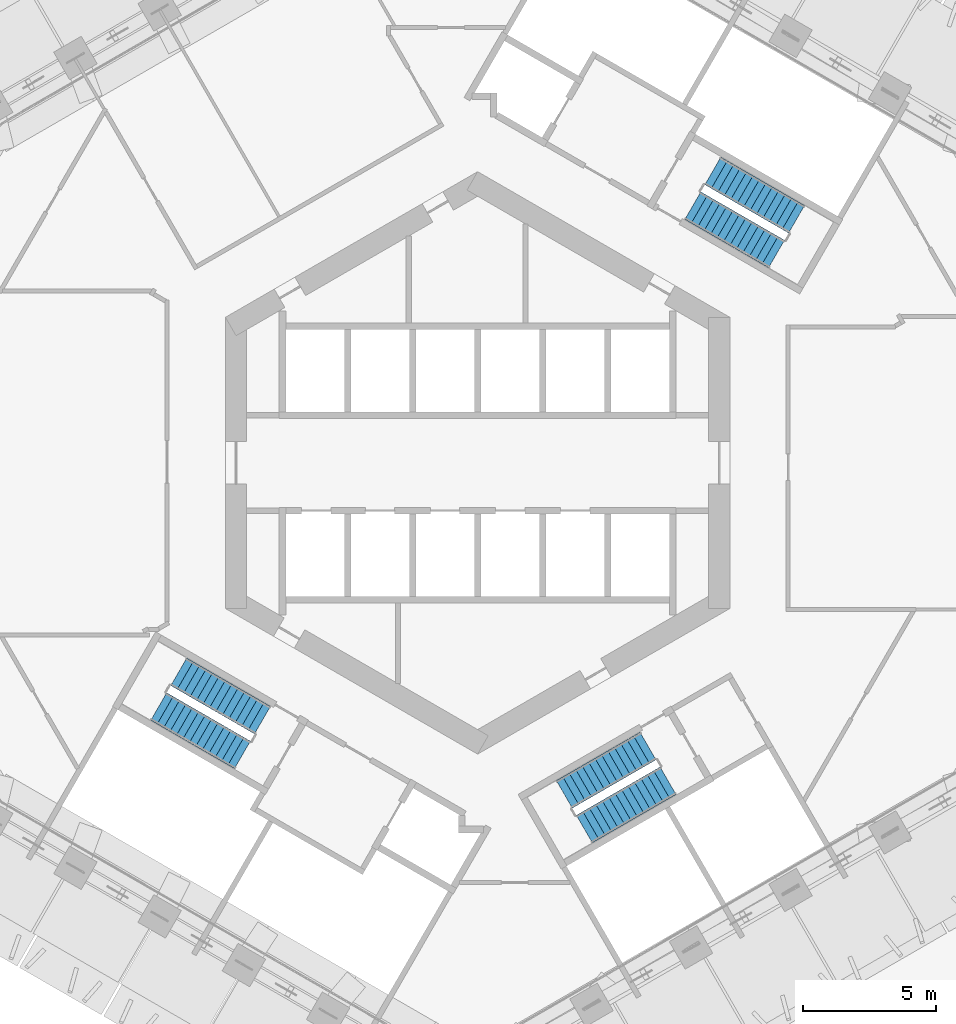
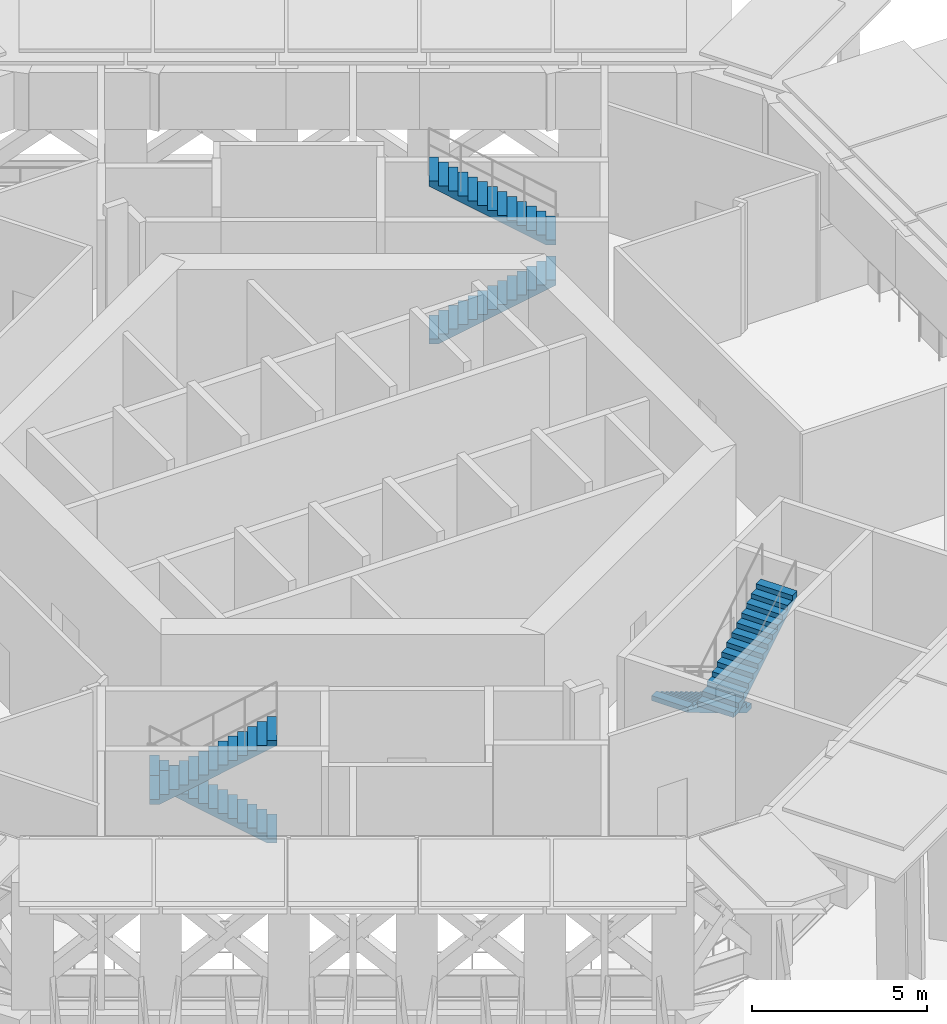
# One storey, part 11 of 16: 6 stair flights, 3 elements without a shape of their own.
"""IFC4 building model written with IfcOpenShell, lengths in metres."""

from ifc_helpers import new_model, si_unit, direction, frame, origin, place, context, subcontext, project, spatial, triangles, material, type_object, element, aggregate, save


model = new_model("IFC4")

# Units and contexts
model_context = context("Model", 3, precision=1e-05, world=origin(), true_north=direction((0.0, 1.0)))
body_context = subcontext(model_context, "Body", "Model", "MODEL_VIEW")
ifc_project = project(units=[si_unit("LENGTHUNIT", "METRE"), si_unit("AREAUNIT", "SQUARE_METRE"), si_unit("VOLUMEUNIT", "CUBIC_METRE"), si_unit("PLANEANGLEUNIT", "RADIAN"), si_unit("MASSUNIT", "GRAM", prefix="KILO")], contexts=[model_context])

# Site, building, storey
site_placement = place(None, origin())
site = spatial("IfcSite", under=ifc_project, at=site_placement, CompositionType="ELEMENT")
building_placement = place(site_placement, origin())
building = spatial("IfcBuilding", under=site, at=building_placement, Name="Ayvan Gate Tower", CompositionType="ELEMENT")
storey_placement = place(building_placement, frame((0.0, 0.0, 78.300048828125)))
storey = spatial("IfcBuildingStorey", under=building, at=storey_placement, Name="L20", CompositionType="ELEMENT", Elevation=78.300048828125)

# Stair, stair flights
ifc_material = material(Name="Concrete C40/50", Category="concrete")
stair_type = type_object("IfcStairType", Name="ST-EXIT", PredefinedType="HALF_TURN_STAIR", material=ifc_material)
stair_1_placement = place(storey_placement, origin())
stair_1 = element("IfcStair", 1, at=stair_1_placement, inside=storey, type_object=stair_type, Name="L20 Exit Stair S1", PredefinedType="HALF_TURN_STAIR")
stair_flight_type = type_object("IfcStairFlightType", Name="SFL-EXIT", PredefinedType="STRAIGHT", material=ifc_material)
stair_flight_1_placement = place(storey_placement, frame((8.106201171875, 9.690185546875, 0.0), z_axis=(0.0, 0.0, 1.0), x_axis=(0.866025403784, -0.5, 0.0)))
stair_flight_1 = element("IfcStairFlight", 2, at=stair_flight_1_placement, type_object=stair_flight_type, Name="STS1 flight 1", NumberOfRisers=14, NumberOfTreads=13, PredefinedType="STRAIGHT", RiserHeight=0.171428571, TreadLength=0.28, context=body_context, shape_type="Tessellation", body=[
    triangles([(0.287085, -0.599976, 0.0), (3.6405, -0.599976, 2.053111), (3.6405, -0.599976, 2.228571), (3.36, -0.599976, 2.228571), (3.36, -0.599976, 2.057143), (3.08, -0.599976, 2.057143), (3.08, -0.599976, 1.885714), (2.8, -0.599976, 1.885714), (2.8, -0.599976, 1.714286), (2.52, -0.599976, 1.714286), (2.52, -0.599976, 1.542857), (2.24, -0.599976, 1.542857), (2.24, -0.599976, 1.371429), (1.96, -0.599976, 1.371429), (1.96, -0.599976, 1.2), (1.68, -0.599976, 1.2), (1.68, -0.599976, 1.028571), (1.4, -0.599976, 1.028571), (1.4, -0.599976, 0.857143), (1.12, -0.599976, 0.857143), (1.12, -0.599976, 0.685714), (0.84, -0.599976, 0.685714), (0.84, -0.599976, 0.514286), (0.56, -0.599976, 0.514286), (0.56, -0.599976, 0.342857), (0.28, -0.599976, 0.342857), (0.28, -0.599976, 0.171429), (-0.0005, -0.599976, 0.171429), (-0.0005, -0.599976, 0.0), (0.287085, 0.0, 0.0), (3.6405, 0.0, 2.053111), (3.6405, 0.0, 2.228571), (3.36, 0.0, 2.228571), (3.36, 0.0, 2.057143), (3.08, 0.0, 2.057143), (3.08, 0.0, 1.885714), (2.8, 0.0, 1.885714), (2.8, 0.0, 1.714286), (2.52, 0.0, 1.714286), (2.52, 0.0, 1.542857), (2.24, 0.0, 1.542857), (2.24, 0.0, 1.371429), (1.96, 0.0, 1.371429), (1.96, 0.0, 1.2), (1.68, 0.0, 1.2), (1.68, 0.0, 1.028571), (1.4, 0.0, 1.028571), (1.4, 0.0, 0.857143), (1.12, 0.0, 0.857143), (1.12, 0.0, 0.685714), (0.84, 0.0, 0.685714), (0.84, 0.0, 0.514286), (0.56, 0.0, 0.514286), (0.56, 0.0, 0.342857), (0.28, 0.0, 0.342857), (0.28, 0.0, 0.171429), (-0.0005, 0.0, 0.171429), (-0.0005, 0.0, 0.0), (0.287085, 0.599976, 0.0), (3.6405, 0.599976, 2.053111), (3.6405, 0.599976, 2.228571), (3.36, 0.599976, 2.228571), (3.36, 0.599976, 2.057143), (3.08, 0.599976, 2.057143), (3.08, 0.599976, 1.885714), (2.8, 0.599976, 1.885714), (2.8, 0.599976, 1.714286), (2.52, 0.599976, 1.714286), (2.52, 0.599976, 1.542857), (2.24, 0.599976, 1.542857), (2.24, 0.599976, 1.371429), (1.96, 0.599976, 1.371429), (1.96, 0.599976, 1.2), (1.68, 0.599976, 1.2), (1.68, 0.599976, 1.028571), (1.4, 0.599976, 1.028571), (1.4, 0.599976, 0.857143), (1.12, 0.599976, 0.857143), (1.12, 0.599976, 0.685714), (0.84, 0.599976, 0.685714), (0.84, 0.599976, 0.514286), (0.56, 0.599976, 0.514286), (0.56, 0.599976, 0.342857), (0.28, 0.599976, 0.342857), (0.28, 0.599976, 0.171429), (-0.0005, 0.599976, 0.171429), (-0.0005, 0.599976, 0.0)], [[29, 1, 2], [87, 60, 59], [2, 3, 4], [60, 62, 61], [2, 4, 5], [60, 63, 62], [2, 5, 6], [60, 64, 63], [2, 6, 7], [60, 65, 64], [7, 8, 9], [65, 67, 66], [2, 7, 9], [60, 67, 65], [9, 10, 11], [67, 69, 68], [2, 9, 11], [60, 69, 67], [11, 12, 13], [69, 71, 70], [2, 11, 13], [60, 71, 69], [13, 14, 15], [71, 73, 72], [2, 13, 15], [60, 73, 71], [15, 16, 17], [73, 75, 74], [2, 15, 17], [60, 75, 73], [17, 18, 19], [75, 77, 76], [2, 17, 19], [60, 77, 75], [19, 20, 21], [77, 79, 78], [2, 19, 21], [60, 79, 77], [21, 22, 23], [79, 81, 80], [2, 21, 23], [60, 81, 79], [23, 24, 25], [81, 83, 82], [2, 23, 25], [60, 83, 81], [25, 26, 27], [83, 85, 84], [2, 25, 27], [60, 85, 83], [29, 2, 27], [87, 85, 60], [27, 28, 29], [85, 87, 86], [1, 30, 31], [1, 31, 2], [59, 31, 30], [59, 60, 31], [2, 31, 32], [2, 32, 3], [60, 32, 31], [60, 61, 32], [3, 32, 33], [3, 33, 4], [61, 33, 32], [61, 62, 33], [4, 33, 34], [4, 34, 5], [62, 34, 33], [62, 63, 34], [5, 34, 35], [5, 35, 6], [63, 35, 34], [63, 64, 35], [6, 35, 36], [6, 36, 7], [64, 36, 35], [64, 65, 36], [7, 36, 37], [7, 37, 8], [65, 37, 36], [65, 66, 37], [8, 37, 38], [8, 38, 9], [66, 38, 37], [66, 67, 38], [9, 38, 39], [9, 39, 10], [67, 39, 38], [67, 68, 39], [10, 39, 40], [10, 40, 11], [68, 40, 39], [68, 69, 40], [11, 40, 41], [11, 41, 12], [69, 41, 40], [69, 70, 41], [12, 41, 42], [12, 42, 13], [70, 42, 41], [70, 71, 42], [13, 42, 43], [13, 43, 14], [71, 43, 42], [71, 72, 43], [14, 43, 44], [14, 44, 15], [72, 44, 43], [72, 73, 44], [15, 44, 45], [15, 45, 16], [73, 45, 44], [73, 74, 45], [16, 45, 46], [16, 46, 17], [74, 46, 45], [74, 75, 46], [17, 46, 47], [17, 47, 18], [75, 47, 46], [75, 76, 47], [18, 47, 48], [18, 48, 19], [76, 48, 47], [76, 77, 48], [19, 48, 49], [19, 49, 20], [77, 49, 48], [77, 78, 49], [20, 49, 50], [20, 50, 21], [78, 50, 49], [78, 79, 50], [21, 50, 51], [21, 51, 22], [79, 51, 50], [79, 80, 51], [22, 51, 52], [22, 52, 23], [80, 52, 51], [80, 81, 52], [23, 52, 53], [23, 53, 24], [81, 53, 52], [81, 82, 53], [24, 53, 54], [24, 54, 25], [82, 54, 53], [82, 83, 54], [25, 54, 55], [25, 55, 26], [83, 55, 54], [83, 84, 55], [26, 55, 56], [26, 56, 27], [84, 56, 55], [84, 85, 56], [27, 56, 57], [27, 57, 28], [85, 57, 56], [85, 86, 57], [28, 57, 58], [28, 58, 29], [86, 58, 57], [86, 87, 58], [29, 58, 30], [29, 30, 1], [87, 30, 58], [87, 59, 30]], closed=True),
])
stair_flight_2_placement = place(storey_placement, frame((12.013427734375, 9.177978515625, 2.39990234375), z_axis=(0.0, 0.0, 1.0), x_axis=(-0.866025403784, 0.5, 0.0)))
stair_flight_2 = element("IfcStairFlight", 3, at=stair_flight_2_placement, type_object=stair_flight_type, Name="STS1 flight 2", NumberOfRisers=14, NumberOfTreads=13, PredefinedType="STRAIGHT", RiserHeight=0.171428571, TreadLength=0.28, context=body_context, shape_type="Tessellation", body=[
    triangles([(0.287085, -0.599976, 0.0), (3.6405, -0.599976, 2.053111), (3.6405, -0.599976, 2.228571), (3.36, -0.599976, 2.228571), (3.36, -0.599976, 2.057143), (3.08, -0.599976, 2.057143), (3.08, -0.599976, 1.885714), (2.8, -0.599976, 1.885714), (2.8, -0.599976, 1.714286), (2.52, -0.599976, 1.714286), (2.52, -0.599976, 1.542857), (2.24, -0.599976, 1.542857), (2.24, -0.599976, 1.371429), (1.96, -0.599976, 1.371429), (1.96, -0.599976, 1.2), (1.68, -0.599976, 1.2), (1.68, -0.599976, 1.028571), (1.4, -0.599976, 1.028571), (1.4, -0.599976, 0.857143), (1.12, -0.599976, 0.857143), (1.12, -0.599976, 0.685714), (0.84, -0.599976, 0.685714), (0.84, -0.599976, 0.514286), (0.56, -0.599976, 0.514286), (0.56, -0.599976, 0.342857), (0.28, -0.599976, 0.342857), (0.28, -0.599976, 0.171429), (-0.0005, -0.599976, 0.171429), (-0.0005, -0.599976, 0.0), (0.287085, 0.0, 0.0), (3.6405, 0.0, 2.053111), (3.6405, 0.0, 2.228571), (3.36, 0.0, 2.228571), (3.36, 0.0, 2.057143), (3.08, 0.0, 2.057143), (3.08, 0.0, 1.885714), (2.8, 0.0, 1.885714), (2.8, 0.0, 1.714286), (2.52, 0.0, 1.714286), (2.52, 0.0, 1.542857), (2.24, 0.0, 1.542857), (2.24, 0.0, 1.371429), (1.96, 0.0, 1.371429), (1.96, 0.0, 1.2), (1.68, 0.0, 1.2), (1.68, 0.0, 1.028571), (1.4, 0.0, 1.028571), (1.4, 0.0, 0.857143), (1.12, 0.0, 0.857143), (1.12, 0.0, 0.685714), (0.84, 0.0, 0.685714), (0.84, 0.0, 0.514286), (0.56, 0.0, 0.514286), (0.56, 0.0, 0.342857), (0.28, 0.0, 0.342857), (0.28, 0.0, 0.171429), (-0.0005, 0.0, 0.171429), (-0.0005, 0.0, 0.0), (0.287085, 0.599976, 0.0), (3.6405, 0.599976, 2.053111), (3.6405, 0.599976, 2.228571), (3.36, 0.599976, 2.228571), (3.36, 0.599976, 2.057143), (3.08, 0.599976, 2.057143), (3.08, 0.599976, 1.885714), (2.8, 0.599976, 1.885714), (2.8, 0.599976, 1.714286), (2.52, 0.599976, 1.714286), (2.52, 0.599976, 1.542857), (2.24, 0.599976, 1.542857), (2.24, 0.599976, 1.371429), (1.96, 0.599976, 1.371429), (1.96, 0.599976, 1.2), (1.68, 0.599976, 1.2), (1.68, 0.599976, 1.028571), (1.4, 0.599976, 1.028571), (1.4, 0.599976, 0.857143), (1.12, 0.599976, 0.857143), (1.12, 0.599976, 0.685714), (0.84, 0.599976, 0.685714), (0.84, 0.599976, 0.514286), (0.56, 0.599976, 0.514286), (0.56, 0.599976, 0.342857), (0.28, 0.599976, 0.342857), (0.28, 0.599976, 0.171429), (-0.0005, 0.599976, 0.171429), (-0.0005, 0.599976, 0.0)], [[29, 1, 2], [87, 60, 59], [2, 3, 4], [60, 62, 61], [2, 4, 5], [60, 63, 62], [2, 5, 6], [60, 64, 63], [2, 6, 7], [60, 65, 64], [7, 8, 9], [65, 67, 66], [2, 7, 9], [60, 67, 65], [9, 10, 11], [67, 69, 68], [2, 9, 11], [60, 69, 67], [11, 12, 13], [69, 71, 70], [2, 11, 13], [60, 71, 69], [13, 14, 15], [71, 73, 72], [2, 13, 15], [60, 73, 71], [15, 16, 17], [73, 75, 74], [2, 15, 17], [60, 75, 73], [17, 18, 19], [75, 77, 76], [2, 17, 19], [60, 77, 75], [19, 20, 21], [77, 79, 78], [2, 19, 21], [60, 79, 77], [21, 22, 23], [79, 81, 80], [2, 21, 23], [60, 81, 79], [23, 24, 25], [81, 83, 82], [2, 23, 25], [60, 83, 81], [25, 26, 27], [83, 85, 84], [2, 25, 27], [60, 85, 83], [29, 2, 27], [87, 85, 60], [27, 28, 29], [85, 87, 86], [1, 30, 31], [1, 31, 2], [59, 31, 30], [59, 60, 31], [2, 31, 32], [2, 32, 3], [60, 32, 31], [60, 61, 32], [3, 32, 33], [3, 33, 4], [61, 33, 32], [61, 62, 33], [4, 33, 34], [4, 34, 5], [62, 34, 33], [62, 63, 34], [5, 34, 35], [5, 35, 6], [63, 35, 34], [63, 64, 35], [6, 35, 36], [6, 36, 7], [64, 36, 35], [64, 65, 36], [7, 36, 37], [7, 37, 8], [65, 37, 36], [65, 66, 37], [8, 37, 38], [8, 38, 9], [66, 38, 37], [66, 67, 38], [9, 38, 39], [9, 39, 10], [67, 39, 38], [67, 68, 39], [10, 39, 40], [10, 40, 11], [68, 40, 39], [68, 69, 40], [11, 40, 41], [11, 41, 12], [69, 41, 40], [69, 70, 41], [12, 41, 42], [12, 42, 13], [70, 42, 41], [70, 71, 42], [13, 42, 43], [13, 43, 14], [71, 43, 42], [71, 72, 43], [14, 43, 44], [14, 44, 15], [72, 44, 43], [72, 73, 44], [15, 44, 45], [15, 45, 16], [73, 45, 44], [73, 74, 45], [16, 45, 46], [16, 46, 17], [74, 46, 45], [74, 75, 46], [17, 46, 47], [17, 47, 18], [75, 47, 46], [75, 76, 47], [18, 47, 48], [18, 48, 19], [76, 48, 47], [76, 77, 48], [19, 48, 49], [19, 49, 20], [77, 49, 48], [77, 78, 49], [20, 49, 50], [20, 50, 21], [78, 50, 49], [78, 79, 50], [21, 50, 51], [21, 51, 22], [79, 51, 50], [79, 80, 51], [22, 51, 52], [22, 52, 23], [80, 52, 51], [80, 81, 52], [23, 52, 53], [23, 53, 24], [81, 53, 52], [81, 82, 53], [24, 53, 54], [24, 54, 25], [82, 54, 53], [82, 83, 54], [25, 54, 55], [25, 55, 26], [83, 55, 54], [83, 84, 55], [26, 55, 56], [26, 56, 27], [84, 56, 55], [84, 85, 56], [27, 56, 57], [27, 57, 28], [85, 57, 56], [85, 86, 57], [28, 57, 58], [28, 58, 29], [86, 58, 57], [86, 87, 58], [29, 58, 30], [29, 30, 1], [87, 30, 58], [87, 59, 30]], closed=True),
])
aggregate(stair_1, [stair_flight_1, stair_flight_2])

stair_2_placement = place(storey_placement, origin())
stair_2 = element("IfcStair", 4, at=stair_2_placement, inside=storey, type_object=stair_type, Name="L20 Exit Stair S2", PredefinedType="HALF_TURN_STAIR")
stair_flight_3_placement = place(storey_placement, frame((-8.106201171875, -9.690185546875, 0.0), z_axis=(0.0, 0.0, 1.0), x_axis=(-0.866025403784, 0.5, 0.0)))
stair_flight_3 = element("IfcStairFlight", 5, at=stair_flight_3_placement, type_object=stair_flight_type, Name="STS2 flight 1", NumberOfRisers=14, NumberOfTreads=13, PredefinedType="STRAIGHT", RiserHeight=0.171428571, TreadLength=0.28, context=body_context, shape_type="Tessellation", body=[
    triangles([(0.287085, -0.599976, 0.0), (3.6405, -0.599976, 2.053111), (3.6405, -0.599976, 2.228571), (3.36, -0.599976, 2.228571), (3.36, -0.599976, 2.057143), (3.08, -0.599976, 2.057143), (3.08, -0.599976, 1.885714), (2.8, -0.599976, 1.885714), (2.8, -0.599976, 1.714286), (2.52, -0.599976, 1.714286), (2.52, -0.599976, 1.542857), (2.24, -0.599976, 1.542857), (2.24, -0.599976, 1.371429), (1.96, -0.599976, 1.371429), (1.96, -0.599976, 1.2), (1.68, -0.599976, 1.2), (1.68, -0.599976, 1.028571), (1.4, -0.599976, 1.028571), (1.4, -0.599976, 0.857143), (1.12, -0.599976, 0.857143), (1.12, -0.599976, 0.685714), (0.84, -0.599976, 0.685714), (0.84, -0.599976, 0.514286), (0.56, -0.599976, 0.514286), (0.56, -0.599976, 0.342857), (0.28, -0.599976, 0.342857), (0.28, -0.599976, 0.171429), (-0.0005, -0.599976, 0.171429), (-0.0005, -0.599976, 0.0), (0.287085, 0.0, 0.0), (3.6405, 0.0, 2.053111), (3.6405, 0.0, 2.228571), (3.36, 0.0, 2.228571), (3.36, 0.0, 2.057143), (3.08, 0.0, 2.057143), (3.08, 0.0, 1.885714), (2.8, 0.0, 1.885714), (2.8, 0.0, 1.714286), (2.52, 0.0, 1.714286), (2.52, 0.0, 1.542857), (2.24, 0.0, 1.542857), (2.24, 0.0, 1.371429), (1.96, 0.0, 1.371429), (1.96, 0.0, 1.2), (1.68, 0.0, 1.2), (1.68, 0.0, 1.028571), (1.4, 0.0, 1.028571), (1.4, 0.0, 0.857143), (1.12, 0.0, 0.857143), (1.12, 0.0, 0.685714), (0.84, 0.0, 0.685714), (0.84, 0.0, 0.514286), (0.56, 0.0, 0.514286), (0.56, 0.0, 0.342857), (0.28, 0.0, 0.342857), (0.28, 0.0, 0.171429), (-0.0005, 0.0, 0.171429), (-0.0005, 0.0, 0.0), (0.287085, 0.599976, 0.0), (3.6405, 0.599976, 2.053111), (3.6405, 0.599976, 2.228571), (3.36, 0.599976, 2.228571), (3.36, 0.599976, 2.057143), (3.08, 0.599976, 2.057143), (3.08, 0.599976, 1.885714), (2.8, 0.599976, 1.885714), (2.8, 0.599976, 1.714286), (2.52, 0.599976, 1.714286), (2.52, 0.599976, 1.542857), (2.24, 0.599976, 1.542857), (2.24, 0.599976, 1.371429), (1.96, 0.599976, 1.371429), (1.96, 0.599976, 1.2), (1.68, 0.599976, 1.2), (1.68, 0.599976, 1.028571), (1.4, 0.599976, 1.028571), (1.4, 0.599976, 0.857143), (1.12, 0.599976, 0.857143), (1.12, 0.599976, 0.685714), (0.84, 0.599976, 0.685714), (0.84, 0.599976, 0.514286), (0.56, 0.599976, 0.514286), (0.56, 0.599976, 0.342857), (0.28, 0.599976, 0.342857), (0.28, 0.599976, 0.171429), (-0.0005, 0.599976, 0.171429), (-0.0005, 0.599976, 0.0)], [[29, 1, 2], [87, 60, 59], [2, 3, 4], [60, 62, 61], [2, 4, 5], [60, 63, 62], [2, 5, 6], [60, 64, 63], [2, 6, 7], [60, 65, 64], [7, 8, 9], [65, 67, 66], [2, 7, 9], [60, 67, 65], [9, 10, 11], [67, 69, 68], [2, 9, 11], [60, 69, 67], [11, 12, 13], [69, 71, 70], [2, 11, 13], [60, 71, 69], [13, 14, 15], [71, 73, 72], [2, 13, 15], [60, 73, 71], [15, 16, 17], [73, 75, 74], [2, 15, 17], [60, 75, 73], [17, 18, 19], [75, 77, 76], [2, 17, 19], [60, 77, 75], [19, 20, 21], [77, 79, 78], [2, 19, 21], [60, 79, 77], [21, 22, 23], [79, 81, 80], [2, 21, 23], [60, 81, 79], [23, 24, 25], [81, 83, 82], [2, 23, 25], [60, 83, 81], [25, 26, 27], [83, 85, 84], [2, 25, 27], [60, 85, 83], [29, 2, 27], [87, 85, 60], [27, 28, 29], [85, 87, 86], [1, 30, 31], [1, 31, 2], [59, 31, 30], [59, 60, 31], [2, 31, 32], [2, 32, 3], [60, 32, 31], [60, 61, 32], [3, 32, 33], [3, 33, 4], [61, 33, 32], [61, 62, 33], [4, 33, 34], [4, 34, 5], [62, 34, 33], [62, 63, 34], [5, 34, 35], [5, 35, 6], [63, 35, 34], [63, 64, 35], [6, 35, 36], [6, 36, 7], [64, 36, 35], [64, 65, 36], [7, 36, 37], [7, 37, 8], [65, 37, 36], [65, 66, 37], [8, 37, 38], [8, 38, 9], [66, 38, 37], [66, 67, 38], [9, 38, 39], [9, 39, 10], [67, 39, 38], [67, 68, 39], [10, 39, 40], [10, 40, 11], [68, 40, 39], [68, 69, 40], [11, 40, 41], [11, 41, 12], [69, 41, 40], [69, 70, 41], [12, 41, 42], [12, 42, 13], [70, 42, 41], [70, 71, 42], [13, 42, 43], [13, 43, 14], [71, 43, 42], [71, 72, 43], [14, 43, 44], [14, 44, 15], [72, 44, 43], [72, 73, 44], [15, 44, 45], [15, 45, 16], [73, 45, 44], [73, 74, 45], [16, 45, 46], [16, 46, 17], [74, 46, 45], [74, 75, 46], [17, 46, 47], [17, 47, 18], [75, 47, 46], [75, 76, 47], [18, 47, 48], [18, 48, 19], [76, 48, 47], [76, 77, 48], [19, 48, 49], [19, 49, 20], [77, 49, 48], [77, 78, 49], [20, 49, 50], [20, 50, 21], [78, 50, 49], [78, 79, 50], [21, 50, 51], [21, 51, 22], [79, 51, 50], [79, 80, 51], [22, 51, 52], [22, 52, 23], [80, 52, 51], [80, 81, 52], [23, 52, 53], [23, 53, 24], [81, 53, 52], [81, 82, 53], [24, 53, 54], [24, 54, 25], [82, 54, 53], [82, 83, 54], [25, 54, 55], [25, 55, 26], [83, 55, 54], [83, 84, 55], [26, 55, 56], [26, 56, 27], [84, 56, 55], [84, 85, 56], [27, 56, 57], [27, 57, 28], [85, 57, 56], [85, 86, 57], [28, 57, 58], [28, 58, 29], [86, 58, 57], [86, 87, 58], [29, 58, 30], [29, 30, 1], [87, 30, 58], [87, 59, 30]], closed=True),
])
stair_flight_4_placement = place(storey_placement, frame((-12.013427734375, -9.177978515625, 2.39990234375), z_axis=(0.0, 0.0, 1.0), x_axis=(0.866025403784, -0.5, 0.0)))
stair_flight_4 = element("IfcStairFlight", 6, at=stair_flight_4_placement, type_object=stair_flight_type, Name="STS2 flight 2", NumberOfRisers=14, NumberOfTreads=13, PredefinedType="STRAIGHT", RiserHeight=0.171428571, TreadLength=0.28, context=body_context, shape_type="Tessellation", body=[
    triangles([(0.287085, -0.599976, 0.0), (3.6405, -0.599976, 2.053111), (3.6405, -0.599976, 2.228571), (3.36, -0.599976, 2.228571), (3.36, -0.599976, 2.057143), (3.08, -0.599976, 2.057143), (3.08, -0.599976, 1.885714), (2.8, -0.599976, 1.885714), (2.8, -0.599976, 1.714286), (2.52, -0.599976, 1.714286), (2.52, -0.599976, 1.542857), (2.24, -0.599976, 1.542857), (2.24, -0.599976, 1.371429), (1.96, -0.599976, 1.371429), (1.96, -0.599976, 1.2), (1.68, -0.599976, 1.2), (1.68, -0.599976, 1.028571), (1.4, -0.599976, 1.028571), (1.4, -0.599976, 0.857143), (1.12, -0.599976, 0.857143), (1.12, -0.599976, 0.685714), (0.84, -0.599976, 0.685714), (0.84, -0.599976, 0.514286), (0.56, -0.599976, 0.514286), (0.56, -0.599976, 0.342857), (0.28, -0.599976, 0.342857), (0.28, -0.599976, 0.171429), (-0.0005, -0.599976, 0.171429), (-0.0005, -0.599976, 0.0), (0.287085, 0.0, 0.0), (3.6405, 0.0, 2.053111), (3.6405, 0.0, 2.228571), (3.36, 0.0, 2.228571), (3.36, 0.0, 2.057143), (3.08, 0.0, 2.057143), (3.08, 0.0, 1.885714), (2.8, 0.0, 1.885714), (2.8, 0.0, 1.714286), (2.52, 0.0, 1.714286), (2.52, 0.0, 1.542857), (2.24, 0.0, 1.542857), (2.24, 0.0, 1.371429), (1.96, 0.0, 1.371429), (1.96, 0.0, 1.2), (1.68, 0.0, 1.2), (1.68, 0.0, 1.028571), (1.4, 0.0, 1.028571), (1.4, 0.0, 0.857143), (1.12, 0.0, 0.857143), (1.12, 0.0, 0.685714), (0.84, 0.0, 0.685714), (0.84, 0.0, 0.514286), (0.56, 0.0, 0.514286), (0.56, 0.0, 0.342857), (0.28, 0.0, 0.342857), (0.28, 0.0, 0.171429), (-0.0005, 0.0, 0.171429), (-0.0005, 0.0, 0.0), (0.287085, 0.599976, 0.0), (3.6405, 0.599976, 2.053111), (3.6405, 0.599976, 2.228571), (3.36, 0.599976, 2.228571), (3.36, 0.599976, 2.057143), (3.08, 0.599976, 2.057143), (3.08, 0.599976, 1.885714), (2.8, 0.599976, 1.885714), (2.8, 0.599976, 1.714286), (2.52, 0.599976, 1.714286), (2.52, 0.599976, 1.542857), (2.24, 0.599976, 1.542857), (2.24, 0.599976, 1.371429), (1.96, 0.599976, 1.371429), (1.96, 0.599976, 1.2), (1.68, 0.599976, 1.2), (1.68, 0.599976, 1.028571), (1.4, 0.599976, 1.028571), (1.4, 0.599976, 0.857143), (1.12, 0.599976, 0.857143), (1.12, 0.599976, 0.685714), (0.84, 0.599976, 0.685714), (0.84, 0.599976, 0.514286), (0.56, 0.599976, 0.514286), (0.56, 0.599976, 0.342857), (0.28, 0.599976, 0.342857), (0.28, 0.599976, 0.171429), (-0.0005, 0.599976, 0.171429), (-0.0005, 0.599976, 0.0)], [[29, 1, 2], [87, 60, 59], [2, 3, 4], [60, 62, 61], [2, 4, 5], [60, 63, 62], [2, 5, 6], [60, 64, 63], [2, 6, 7], [60, 65, 64], [7, 8, 9], [65, 67, 66], [2, 7, 9], [60, 67, 65], [9, 10, 11], [67, 69, 68], [2, 9, 11], [60, 69, 67], [11, 12, 13], [69, 71, 70], [2, 11, 13], [60, 71, 69], [13, 14, 15], [71, 73, 72], [2, 13, 15], [60, 73, 71], [15, 16, 17], [73, 75, 74], [2, 15, 17], [60, 75, 73], [17, 18, 19], [75, 77, 76], [2, 17, 19], [60, 77, 75], [19, 20, 21], [77, 79, 78], [2, 19, 21], [60, 79, 77], [21, 22, 23], [79, 81, 80], [2, 21, 23], [60, 81, 79], [23, 24, 25], [81, 83, 82], [2, 23, 25], [60, 83, 81], [25, 26, 27], [83, 85, 84], [2, 25, 27], [60, 85, 83], [29, 2, 27], [87, 85, 60], [27, 28, 29], [85, 87, 86], [1, 30, 31], [1, 31, 2], [59, 31, 30], [59, 60, 31], [2, 31, 32], [2, 32, 3], [60, 32, 31], [60, 61, 32], [3, 32, 33], [3, 33, 4], [61, 33, 32], [61, 62, 33], [4, 33, 34], [4, 34, 5], [62, 34, 33], [62, 63, 34], [5, 34, 35], [5, 35, 6], [63, 35, 34], [63, 64, 35], [6, 35, 36], [6, 36, 7], [64, 36, 35], [64, 65, 36], [7, 36, 37], [7, 37, 8], [65, 37, 36], [65, 66, 37], [8, 37, 38], [8, 38, 9], [66, 38, 37], [66, 67, 38], [9, 38, 39], [9, 39, 10], [67, 39, 38], [67, 68, 39], [10, 39, 40], [10, 40, 11], [68, 40, 39], [68, 69, 40], [11, 40, 41], [11, 41, 12], [69, 41, 40], [69, 70, 41], [12, 41, 42], [12, 42, 13], [70, 42, 41], [70, 71, 42], [13, 42, 43], [13, 43, 14], [71, 43, 42], [71, 72, 43], [14, 43, 44], [14, 44, 15], [72, 44, 43], [72, 73, 44], [15, 44, 45], [15, 45, 16], [73, 45, 44], [73, 74, 45], [16, 45, 46], [16, 46, 17], [74, 46, 45], [74, 75, 46], [17, 46, 47], [17, 47, 18], [75, 47, 46], [75, 76, 47], [18, 47, 48], [18, 48, 19], [76, 48, 47], [76, 77, 48], [19, 48, 49], [19, 49, 20], [77, 49, 48], [77, 78, 49], [20, 49, 50], [20, 50, 21], [78, 50, 49], [78, 79, 50], [21, 50, 51], [21, 51, 22], [79, 51, 50], [79, 80, 51], [22, 51, 52], [22, 52, 23], [80, 52, 51], [80, 81, 52], [23, 52, 53], [23, 53, 24], [81, 53, 52], [81, 82, 53], [24, 53, 54], [24, 54, 25], [82, 54, 53], [82, 83, 54], [25, 54, 55], [25, 55, 26], [83, 55, 54], [83, 84, 55], [26, 55, 56], [26, 56, 27], [84, 56, 55], [84, 85, 56], [27, 56, 57], [27, 57, 28], [85, 57, 56], [85, 86, 57], [28, 57, 58], [28, 58, 29], [86, 58, 57], [86, 87, 58], [29, 58, 30], [29, 30, 1], [87, 30, 58], [87, 59, 30]], closed=True),
])
aggregate(stair_2, [stair_flight_3, stair_flight_4])

stair_3_placement = place(storey_placement, origin())
stair_3 = element("IfcStair", 7, at=stair_3_placement, inside=storey, type_object=stair_type, Name="L20 Exit Stair S3", PredefinedType="HALF_TURN_STAIR")
stair_flight_5_placement = place(storey_placement, frame((6.417236328125, -10.665283203125, 0.0), z_axis=(0.0, 0.0, 1.0), x_axis=(-0.866025403784, -0.5, 0.0)))
stair_flight_5 = element("IfcStairFlight", 8, at=stair_flight_5_placement, type_object=stair_flight_type, Name="STS3 flight 1", NumberOfRisers=14, NumberOfTreads=13, PredefinedType="STRAIGHT", RiserHeight=0.171428571, TreadLength=0.28, context=body_context, shape_type="Tessellation", body=[
    triangles([(0.287085, -0.599976, 0.0), (3.6405, -0.599976, 2.053111), (3.6405, -0.599976, 2.228571), (3.36, -0.599976, 2.228571), (3.36, -0.599976, 2.057143), (3.08, -0.599976, 2.057143), (3.08, -0.599976, 1.885714), (2.8, -0.599976, 1.885714), (2.8, -0.599976, 1.714286), (2.52, -0.599976, 1.714286), (2.52, -0.599976, 1.542857), (2.24, -0.599976, 1.542857), (2.24, -0.599976, 1.371429), (1.96, -0.599976, 1.371429), (1.96, -0.599976, 1.2), (1.68, -0.599976, 1.2), (1.68, -0.599976, 1.028571), (1.4, -0.599976, 1.028571), (1.4, -0.599976, 0.857143), (1.12, -0.599976, 0.857143), (1.12, -0.599976, 0.685714), (0.84, -0.599976, 0.685714), (0.84, -0.599976, 0.514286), (0.56, -0.599976, 0.514286), (0.56, -0.599976, 0.342857), (0.28, -0.599976, 0.342857), (0.28, -0.599976, 0.171429), (-0.0005, -0.599976, 0.171429), (-0.0005, -0.599976, 0.0), (0.287085, 0.0, 0.0), (3.6405, 0.0, 2.053111), (3.6405, 0.0, 2.228571), (3.36, 0.0, 2.228571), (3.36, 0.0, 2.057143), (3.08, 0.0, 2.057143), (3.08, 0.0, 1.885714), (2.8, 0.0, 1.885714), (2.8, 0.0, 1.714286), (2.52, 0.0, 1.714286), (2.52, 0.0, 1.542857), (2.24, 0.0, 1.542857), (2.24, 0.0, 1.371429), (1.96, 0.0, 1.371429), (1.96, 0.0, 1.2), (1.68, 0.0, 1.2), (1.68, 0.0, 1.028571), (1.4, 0.0, 1.028571), (1.4, 0.0, 0.857143), (1.12, 0.0, 0.857143), (1.12, 0.0, 0.685714), (0.84, 0.0, 0.685714), (0.84, 0.0, 0.514286), (0.56, 0.0, 0.514286), (0.56, 0.0, 0.342857), (0.28, 0.0, 0.342857), (0.28, 0.0, 0.171429), (-0.0005, 0.0, 0.171429), (-0.0005, 0.0, 0.0), (0.287085, 0.599976, 0.0), (3.6405, 0.599976, 2.053111), (3.6405, 0.599976, 2.228571), (3.36, 0.599976, 2.228571), (3.36, 0.599976, 2.057143), (3.08, 0.599976, 2.057143), (3.08, 0.599976, 1.885714), (2.8, 0.599976, 1.885714), (2.8, 0.599976, 1.714286), (2.52, 0.599976, 1.714286), (2.52, 0.599976, 1.542857), (2.24, 0.599976, 1.542857), (2.24, 0.599976, 1.371429), (1.96, 0.599976, 1.371429), (1.96, 0.599976, 1.2), (1.68, 0.599976, 1.2), (1.68, 0.599976, 1.028571), (1.4, 0.599976, 1.028571), (1.4, 0.599976, 0.857143), (1.12, 0.599976, 0.857143), (1.12, 0.599976, 0.685714), (0.84, 0.599976, 0.685714), (0.84, 0.599976, 0.514286), (0.56, 0.599976, 0.514286), (0.56, 0.599976, 0.342857), (0.28, 0.599976, 0.342857), (0.28, 0.599976, 0.171429), (-0.0005, 0.599976, 0.171429), (-0.0005, 0.599976, 0.0)], [[29, 1, 2], [87, 60, 59], [2, 3, 4], [60, 62, 61], [2, 4, 5], [60, 63, 62], [2, 5, 6], [60, 64, 63], [2, 6, 7], [60, 65, 64], [7, 8, 9], [65, 67, 66], [2, 7, 9], [60, 67, 65], [9, 10, 11], [67, 69, 68], [2, 9, 11], [60, 69, 67], [11, 12, 13], [69, 71, 70], [2, 11, 13], [60, 71, 69], [13, 14, 15], [71, 73, 72], [2, 13, 15], [60, 73, 71], [15, 16, 17], [73, 75, 74], [2, 15, 17], [60, 75, 73], [17, 18, 19], [75, 77, 76], [2, 17, 19], [60, 77, 75], [19, 20, 21], [77, 79, 78], [2, 19, 21], [60, 79, 77], [21, 22, 23], [79, 81, 80], [2, 21, 23], [60, 81, 79], [23, 24, 25], [81, 83, 82], [2, 23, 25], [60, 83, 81], [25, 26, 27], [83, 85, 84], [2, 25, 27], [60, 85, 83], [29, 2, 27], [87, 85, 60], [27, 28, 29], [85, 87, 86], [1, 30, 31], [1, 31, 2], [59, 31, 30], [59, 60, 31], [2, 31, 32], [2, 32, 3], [60, 32, 31], [60, 61, 32], [3, 32, 33], [3, 33, 4], [61, 33, 32], [61, 62, 33], [4, 33, 34], [4, 34, 5], [62, 34, 33], [62, 63, 34], [5, 34, 35], [5, 35, 6], [63, 35, 34], [63, 64, 35], [6, 35, 36], [6, 36, 7], [64, 36, 35], [64, 65, 36], [7, 36, 37], [7, 37, 8], [65, 37, 36], [65, 66, 37], [8, 37, 38], [8, 38, 9], [66, 38, 37], [66, 67, 38], [9, 38, 39], [9, 39, 10], [67, 39, 38], [67, 68, 39], [10, 39, 40], [10, 40, 11], [68, 40, 39], [68, 69, 40], [11, 40, 41], [11, 41, 12], [69, 41, 40], [69, 70, 41], [12, 41, 42], [12, 42, 13], [70, 42, 41], [70, 71, 42], [13, 42, 43], [13, 43, 14], [71, 43, 42], [71, 72, 43], [14, 43, 44], [14, 44, 15], [72, 44, 43], [72, 73, 44], [15, 44, 45], [15, 45, 16], [73, 45, 44], [73, 74, 45], [16, 45, 46], [16, 46, 17], [74, 46, 45], [74, 75, 46], [17, 46, 47], [17, 47, 18], [75, 47, 46], [75, 76, 47], [18, 47, 48], [18, 48, 19], [76, 48, 47], [76, 77, 48], [19, 48, 49], [19, 49, 20], [77, 49, 48], [77, 78, 49], [20, 49, 50], [20, 50, 21], [78, 50, 49], [78, 79, 50], [21, 50, 51], [21, 51, 22], [79, 51, 50], [79, 80, 51], [22, 51, 52], [22, 52, 23], [80, 52, 51], [80, 81, 52], [23, 52, 53], [23, 53, 24], [81, 53, 52], [81, 82, 53], [24, 53, 54], [24, 54, 25], [82, 54, 53], [82, 83, 54], [25, 54, 55], [25, 55, 26], [83, 55, 54], [83, 84, 55], [26, 55, 56], [26, 56, 27], [84, 56, 55], [84, 85, 56], [27, 56, 57], [27, 57, 28], [85, 57, 56], [85, 86, 57], [28, 57, 58], [28, 58, 29], [86, 58, 57], [86, 87, 58], [29, 58, 30], [29, 30, 1], [87, 30, 58], [87, 59, 30]], closed=True),
])
stair_flight_6_placement = place(storey_placement, frame((4.02001953125, -13.79296875, 2.39990234375), z_axis=(0.0, 0.0, 1.0), x_axis=(0.866025403784, 0.5, 0.0)))
stair_flight_6 = element("IfcStairFlight", 9, at=stair_flight_6_placement, type_object=stair_flight_type, Name="STS3 flight 2", NumberOfRisers=14, NumberOfTreads=13, PredefinedType="STRAIGHT", RiserHeight=0.171428571, TreadLength=0.28, context=body_context, shape_type="Tessellation", body=[
    triangles([(0.287085, -0.599976, 0.0), (3.6405, -0.599976, 2.053111), (3.6405, -0.599976, 2.228571), (3.36, -0.599976, 2.228571), (3.36, -0.599976, 2.057143), (3.08, -0.599976, 2.057143), (3.08, -0.599976, 1.885714), (2.8, -0.599976, 1.885714), (2.8, -0.599976, 1.714286), (2.52, -0.599976, 1.714286), (2.52, -0.599976, 1.542857), (2.24, -0.599976, 1.542857), (2.24, -0.599976, 1.371429), (1.96, -0.599976, 1.371429), (1.96, -0.599976, 1.2), (1.68, -0.599976, 1.2), (1.68, -0.599976, 1.028571), (1.4, -0.599976, 1.028571), (1.4, -0.599976, 0.857143), (1.12, -0.599976, 0.857143), (1.12, -0.599976, 0.685714), (0.84, -0.599976, 0.685714), (0.84, -0.599976, 0.514286), (0.56, -0.599976, 0.514286), (0.56, -0.599976, 0.342857), (0.28, -0.599976, 0.342857), (0.28, -0.599976, 0.171429), (-0.0005, -0.599976, 0.171429), (-0.0005, -0.599976, 0.0), (0.287085, 0.0, 0.0), (3.6405, 0.0, 2.053111), (3.6405, 0.0, 2.228571), (3.36, 0.0, 2.228571), (3.36, 0.0, 2.057143), (3.08, 0.0, 2.057143), (3.08, 0.0, 1.885714), (2.8, 0.0, 1.885714), (2.8, 0.0, 1.714286), (2.52, 0.0, 1.714286), (2.52, 0.0, 1.542857), (2.24, 0.0, 1.542857), (2.24, 0.0, 1.371429), (1.96, 0.0, 1.371429), (1.96, 0.0, 1.2), (1.68, 0.0, 1.2), (1.68, 0.0, 1.028571), (1.4, 0.0, 1.028571), (1.4, 0.0, 0.857143), (1.12, 0.0, 0.857143), (1.12, 0.0, 0.685714), (0.84, 0.0, 0.685714), (0.84, 0.0, 0.514286), (0.56, 0.0, 0.514286), (0.56, 0.0, 0.342857), (0.28, 0.0, 0.342857), (0.28, 0.0, 0.171429), (-0.0005, 0.0, 0.171429), (-0.0005, 0.0, 0.0), (0.287085, 0.599976, 0.0), (3.6405, 0.599976, 2.053111), (3.6405, 0.599976, 2.228571), (3.36, 0.599976, 2.228571), (3.36, 0.599976, 2.057143), (3.08, 0.599976, 2.057143), (3.08, 0.599976, 1.885714), (2.8, 0.599976, 1.885714), (2.8, 0.599976, 1.714286), (2.52, 0.599976, 1.714286), (2.52, 0.599976, 1.542857), (2.24, 0.599976, 1.542857), (2.24, 0.599976, 1.371429), (1.96, 0.599976, 1.371429), (1.96, 0.599976, 1.2), (1.68, 0.599976, 1.2), (1.68, 0.599976, 1.028571), (1.4, 0.599976, 1.028571), (1.4, 0.599976, 0.857143), (1.12, 0.599976, 0.857143), (1.12, 0.599976, 0.685714), (0.84, 0.599976, 0.685714), (0.84, 0.599976, 0.514286), (0.56, 0.599976, 0.514286), (0.56, 0.599976, 0.342857), (0.28, 0.599976, 0.342857), (0.28, 0.599976, 0.171429), (-0.0005, 0.599976, 0.171429), (-0.0005, 0.599976, 0.0)], [[29, 1, 2], [87, 60, 59], [2, 3, 4], [60, 62, 61], [2, 4, 5], [60, 63, 62], [2, 5, 6], [60, 64, 63], [2, 6, 7], [60, 65, 64], [7, 8, 9], [65, 67, 66], [2, 7, 9], [60, 67, 65], [9, 10, 11], [67, 69, 68], [2, 9, 11], [60, 69, 67], [11, 12, 13], [69, 71, 70], [2, 11, 13], [60, 71, 69], [13, 14, 15], [71, 73, 72], [2, 13, 15], [60, 73, 71], [15, 16, 17], [73, 75, 74], [2, 15, 17], [60, 75, 73], [17, 18, 19], [75, 77, 76], [2, 17, 19], [60, 77, 75], [19, 20, 21], [77, 79, 78], [2, 19, 21], [60, 79, 77], [21, 22, 23], [79, 81, 80], [2, 21, 23], [60, 81, 79], [23, 24, 25], [81, 83, 82], [2, 23, 25], [60, 83, 81], [25, 26, 27], [83, 85, 84], [2, 25, 27], [60, 85, 83], [29, 2, 27], [87, 85, 60], [27, 28, 29], [85, 87, 86], [1, 30, 31], [1, 31, 2], [59, 31, 30], [59, 60, 31], [2, 31, 32], [2, 32, 3], [60, 32, 31], [60, 61, 32], [3, 32, 33], [3, 33, 4], [61, 33, 32], [61, 62, 33], [4, 33, 34], [4, 34, 5], [62, 34, 33], [62, 63, 34], [5, 34, 35], [5, 35, 6], [63, 35, 34], [63, 64, 35], [6, 35, 36], [6, 36, 7], [64, 36, 35], [64, 65, 36], [7, 36, 37], [7, 37, 8], [65, 37, 36], [65, 66, 37], [8, 37, 38], [8, 38, 9], [66, 38, 37], [66, 67, 38], [9, 38, 39], [9, 39, 10], [67, 39, 38], [67, 68, 39], [10, 39, 40], [10, 40, 11], [68, 40, 39], [68, 69, 40], [11, 40, 41], [11, 41, 12], [69, 41, 40], [69, 70, 41], [12, 41, 42], [12, 42, 13], [70, 42, 41], [70, 71, 42], [13, 42, 43], [13, 43, 14], [71, 43, 42], [71, 72, 43], [14, 43, 44], [14, 44, 15], [72, 44, 43], [72, 73, 44], [15, 44, 45], [15, 45, 16], [73, 45, 44], [73, 74, 45], [16, 45, 46], [16, 46, 17], [74, 46, 45], [74, 75, 46], [17, 46, 47], [17, 47, 18], [75, 47, 46], [75, 76, 47], [18, 47, 48], [18, 48, 19], [76, 48, 47], [76, 77, 48], [19, 48, 49], [19, 49, 20], [77, 49, 48], [77, 78, 49], [20, 49, 50], [20, 50, 21], [78, 50, 49], [78, 79, 50], [21, 50, 51], [21, 51, 22], [79, 51, 50], [79, 80, 51], [22, 51, 52], [22, 52, 23], [80, 52, 51], [80, 81, 52], [23, 52, 53], [23, 53, 24], [81, 53, 52], [81, 82, 53], [24, 53, 54], [24, 54, 25], [82, 54, 53], [82, 83, 54], [25, 54, 55], [25, 55, 26], [83, 55, 54], [83, 84, 55], [26, 55, 56], [26, 56, 27], [84, 56, 55], [84, 85, 56], [27, 56, 57], [27, 57, 28], [85, 57, 56], [85, 86, 57], [28, 57, 58], [28, 58, 29], [86, 58, 57], [86, 87, 58], [29, 58, 30], [29, 30, 1], [87, 30, 58], [87, 59, 30]], closed=True),
])
aggregate(stair_3, [stair_flight_5, stair_flight_6])

save(model, "model.ifc")
